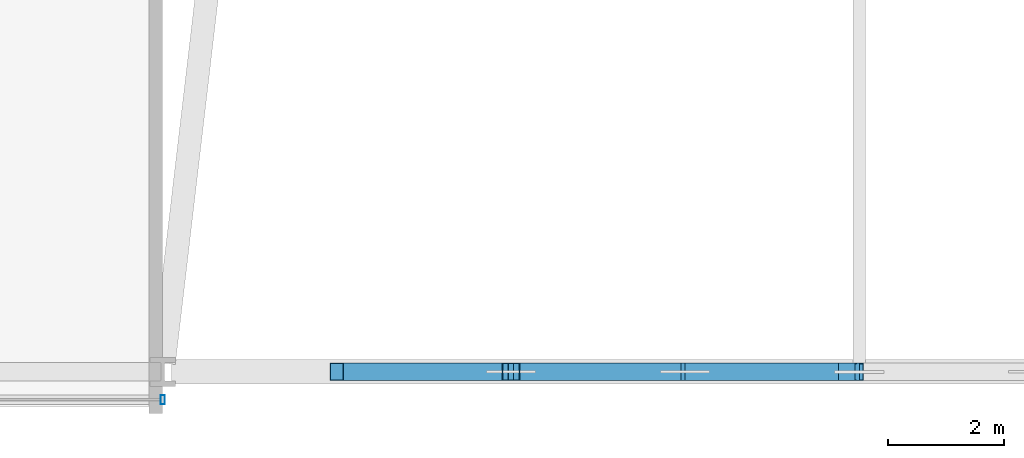
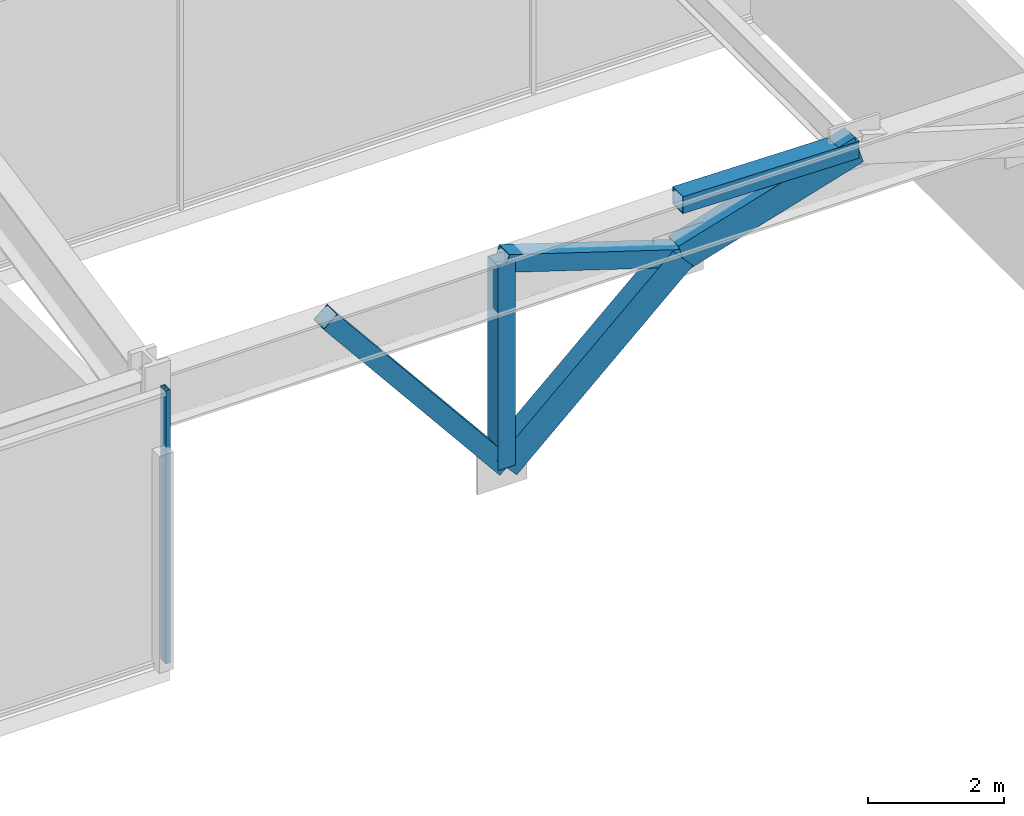
# One storey, part 8 of 49: 7 members, 1 element without a shape of its own.
"""IFC4 building model written with IfcOpenShell, lengths in metres."""

import ifcopenshell
import ifcopenshell.guid

model = None  # the IFC model being written
_history = None  # IfcOwnerHistory: only IFC2X3 demands one
_inside = {}  # id of a spatial element -> (the spatial element, [elements in it])
_under = {}  # id of a project, library or spatial element -> (it, [spatial elements below it])
_declared = {}  # id of a project -> (the project, [libraries it declares])
_typed = {}  # id of a type object -> (the type object, [elements of that type])
_made_of = {}  # id of a material, layer set ... -> (it, [elements and type objects made of it])


def new_model(schema):
    """Start an empty IFC model of exactly this schema.

    Asked for "IFC4X3", IfcOpenShell would pick the latest addendum, in which some entities
    have other attributes; the version numbers below select the first issue.
    IFC2X3 requires an IfcOwnerHistory on every rooted entity: one is made here for all.
    """
    global model, _history
    if schema == "IFC4X3":
        model = ifcopenshell.file(schema_version=(4, 3, 0, 0))
    else:
        model = ifcopenshell.file(schema=schema)
    _inside.clear()
    _under.clear()
    _declared.clear()
    _typed.clear()
    _made_of.clear()
    _history = None
    if model.schema == "IFC2X3":
        org = make("IfcOrganization", Name="unknown")
        user = make(
            "IfcPersonAndOrganization",
            ThePerson=make("IfcPerson", FamilyName="unknown"),
            TheOrganization=org,
        )
        app = make(
            "IfcApplication",
            ApplicationDeveloper=org,
            Version="unknown",
            ApplicationFullName="unknown",
            ApplicationIdentifier="unknown",
        )
        _history = make(
            "IfcOwnerHistory",
            OwningUser=user,
            OwningApplication=app,
            ChangeAction="ADDED",
            CreationDate=0,
        )
    return model


def make(cls, **values):
    """One entity of the class cls with the attributes given. An attribute that is None is left unset."""
    return model.create_entity(
        cls, **{name: value for name, value in values.items() if value is not None}
    )


def rooted(cls, **values):
    """An entity with a GlobalId (a new one), such as an element, a storey or a relation."""
    return make(cls, GlobalId=ifcopenshell.guid.new(), OwnerHistory=_history, **values)


def si_unit(unit_type, name, prefix=None):
    """IfcSIUnit, for example si_unit("LENGTHUNIT", "METRE", prefix="MILLI")."""
    return make("IfcSIUnit", UnitType=unit_type, Prefix=prefix, Name=name)


def assignment(units):
    """IfcUnitAssignment: the units of a project."""
    return None if units is None else make("IfcUnitAssignment", Units=units)


def point(xyz):
    """IfcCartesianPoint."""
    return None if xyz is None else make("IfcCartesianPoint", Coordinates=xyz)


def direction(xyz):
    """IfcDirection."""
    return None if xyz is None else make("IfcDirection", DirectionRatios=xyz)


def frame(location, z_axis=None, x_axis=None):
    """IfcAxis2Placement3D, a coordinate frame: its origin and axes. An axis left out is left unset."""
    return make(
        "IfcAxis2Placement3D",
        Location=point(location),
        Axis=direction(z_axis),
        RefDirection=direction(x_axis),
    )


def frame_2d(location, x_axis=None):
    """IfcAxis2Placement2D, a coordinate frame in the plane: its origin and x axis."""
    return make(
        "IfcAxis2Placement2D", Location=point(location), RefDirection=direction(x_axis)
    )


def origin():
    """The frame at (0, 0, 0) with its axes left unset."""
    return frame((0.0, 0.0, 0.0))


def origin_2d():
    """The frame at (0, 0) in the plane with its x axis left unset."""
    return frame_2d((0.0, 0.0))


def place(relative_to, where):
    """IfcLocalPlacement: puts the frame where relative to a parent placement (None: the world)."""
    return make(
        "IfcLocalPlacement", PlacementRelTo=relative_to, RelativePlacement=where
    )


def context(
    kind, dimensions, precision=None, world=None, true_north=None, identifier=None
):
    """IfcGeometricRepresentationContext, for example the 3D "Model" context."""
    return make(
        "IfcGeometricRepresentationContext",
        ContextIdentifier=identifier,
        ContextType=kind,
        CoordinateSpaceDimension=dimensions,
        Precision=precision,
        WorldCoordinateSystem=world,
        TrueNorth=true_north,
    )


def subcontext(parent, identifier, kind, view, scale=None):
    """IfcGeometricRepresentationSubContext, for example "Body" below "Model"."""
    return make(
        "IfcGeometricRepresentationSubContext",
        ContextIdentifier=identifier,
        ContextType=kind,
        ParentContext=parent,
        TargetScale=scale,
        TargetView=view,
    )


def project(units=None, contexts=None):
    """IfcProject with its units and contexts."""
    return rooted(
        "IfcProject",
        Name="project",
        RepresentationContexts=contexts,
        UnitsInContext=assignment(units),
    )


def spatial(cls, under=None, at=None, **own):
    """A site, building, storey or space (cls), placed at a placement, below another one or the project."""
    s = rooted(cls, ObjectPlacement=at, **own)
    if under is not None:
        _under.setdefault(under.id(), (under, []))[1].append(s)
    return s


def profile(cls, at=None, kind="AREA", **sizes):
    """A parametric profile (cls). Its sizes go by their IFC names, for example OverallWidth=200.0."""
    return make(cls, ProfileType=kind, Position=at, **sizes)


def hollow_rectangle(**sizes):
    """IfcRectangleHollowProfileDef."""
    return profile("IfcRectangleHollowProfileDef", **sizes)


def extrude(swept, where, along, depth):
    """IfcExtrudedAreaSolid: the profile swept, set in the frame where, extruded along a direction by depth."""
    return make(
        "IfcExtrudedAreaSolid",
        SweptArea=swept,
        Position=where,
        ExtrudedDirection=direction(along),
        Depth=depth,
    )


def shape(context_of_items, identifier, shape_type, items):
    """IfcShapeRepresentation: the items that make up one representation, for example the "Body"."""
    return make(
        "IfcShapeRepresentation",
        ContextOfItems=context_of_items,
        RepresentationIdentifier=identifier,
        RepresentationType=shape_type,
        Items=items,
    )


def material(Name=None, Category=None):
    """IfcMaterial."""
    return make("IfcMaterial", Name=Name, Category=Category)


def material_profile(
    of_material, cross_section, Name=None, Category=None, Priority=None
):
    """IfcMaterialProfile: a cross section and its material."""
    return make(
        "IfcMaterialProfile",
        Name=Name,
        Material=of_material,
        Profile=cross_section,
        Priority=Priority,
        Category=Category,
    )


def profile_set(profiles, Name=None, composite=None):
    """IfcMaterialProfileSet."""
    return make(
        "IfcMaterialProfileSet",
        Name=Name,
        MaterialProfiles=profiles,
        CompositeProfile=composite,
    )


def made_of(thing, what):
    """Note that an element or type object is made of a material, layer set ...; save() writes the relation."""
    if what is not None:
        _made_of.setdefault(what.id(), (what, []))[1].append(thing)
    return thing


def type_object(cls, material=None, **own):
    """A type object (cls), such as IfcWallType, which elements share."""
    return made_of(rooted(cls, **own), material)


def element(
    cls,
    number,
    at=None,
    inside=None,
    cuts=None,
    type_object=None,
    material=None,
    context=None,
    identifier="Body",
    shape_type=None,
    held_by="IfcProductDefinitionShape",
    body=None,
    shapes=None,
    **own,
):
    """One element of the class cls, such as IfcWall. Its Tag is "e" and its number.

    at: its placement. inside: the storey or other place that contains it. cuts: it is an
    opening in that element (IfcRelVoidsElement). A single representation is given by context,
    identifier, shape_type and body (its items); several are given by shapes. held_by: the class
    of the entity that holds the representations. save() writes the other relations.
    """
    e = rooted(cls, Tag="e%d" % number, ObjectPlacement=at, **own)
    if body is not None:
        shapes = [shape(context, identifier, shape_type, body)]
    if shapes is not None:
        e.Representation = make(held_by, Representations=shapes)
    if inside is not None:
        _inside.setdefault(inside.id(), (inside, []))[1].append(e)
    if cuts is not None:
        rooted(
            "IfcRelVoidsElement", RelatingBuildingElement=cuts, RelatedOpeningElement=e
        )
    if type_object is not None:
        _typed.setdefault(type_object.id(), (type_object, []))[1].append(e)
    return made_of(e, material)


def aggregate(whole, parts):
    """IfcRelAggregates: a whole, such as a stair, and the parts it consists of."""
    return rooted("IfcRelAggregates", RelatingObject=whole, RelatedObjects=parts)


def save(model, path):
    """Write the relations noted so far, then the file.

    IfcRelAggregates (storeys below a building ...), IfcRelContainedInSpatialStructure (elements
    in a storey), IfcRelDefinesByType, IfcRelAssociatesMaterial and IfcRelDeclares: one each for
    every whole, place, type object, material and project.
    """
    for whole, parts in _under.values():
        aggregate(whole, parts)
    for where, things in _inside.values():
        rooted(
            "IfcRelContainedInSpatialStructure",
            RelatedElements=things,
            RelatingStructure=where,
        )
    for kind, things in _typed.values():
        rooted("IfcRelDefinesByType", RelatedObjects=things, RelatingType=kind)
    for what, things in _made_of.values():
        rooted("IfcRelAssociatesMaterial", RelatedObjects=things, RelatingMaterial=what)
    for by, libraries in _declared.values():
        rooted("IfcRelDeclares", RelatingContext=by, RelatedDefinitions=libraries)
    model.write(path)


model = new_model("IFC4")

# Units and contexts
model_context = context("Model", 3, precision=1e-05, world=origin(), true_north=direction((0.0, 1.0)))
body_context = subcontext(model_context, "Body", "Model", "MODEL_VIEW")
ifc_project = project(units=[si_unit("LENGTHUNIT", "METRE"), si_unit("AREAUNIT", "SQUARE_METRE"), si_unit("VOLUMEUNIT", "CUBIC_METRE"), si_unit("PLANEANGLEUNIT", "RADIAN"), si_unit("MASSUNIT", "GRAM", prefix="KILO")], contexts=[model_context])

# Site, building, storey
site_placement = place(None, origin())
site = spatial("IfcSite", under=ifc_project, at=site_placement, CompositionType="ELEMENT")
building_placement = place(site_placement, origin())
building = spatial("IfcBuilding", under=site, at=building_placement, Name="Kolvaren Belvedere", CompositionType="ELEMENT")
storey_placement = place(building_placement, frame((0.0, 0.0, 10.0)))
storey = spatial("IfcBuildingStorey", under=building, at=storey_placement, Name="L03", CompositionType="ELEMENT", Elevation=10.0)

# Curtain wall, member
ifc_material_1 = material(Name="Anodised pale-metal aluminium AA 6063-T6", Category="aluminium")
curtain_wall_type = type_object("IfcCurtainWallType", Name="CW-POD-A", PredefinedType="NOTDEFINED", material=ifc_material_1)
curtain_wall_placement = place(storey_placement, origin())
curtain_wall = element("IfcCurtainWall", 1, at=curtain_wall_placement, inside=storey, type_object=curtain_wall_type, Name="L03 Unitised Curtain Wall FCW-L03-SEG1", PredefinedType="NOTDEFINED")
ifc_material_2 = material(Name="Anodised pale-metal aluminium AA 6063-T6", Category="aluminium")
ifc_material_profile_1 = material_profile(ifc_material_2, hollow_rectangle(XDim=0.074951171875, YDim=0.159912109375, WallThickness=0.00439453125, at=origin_2d()), Name="ALU-MUL-160X75")
ifc_profile_set_1 = profile_set([ifc_material_profile_1], Name="Anodised pale-metal aluminium AA 6063-T6")
member_type_1 = type_object("IfcMemberType", Name="CW-MUL-160", PredefinedType="MULLION", material=ifc_profile_set_1)
member_1_placement = place(storey_placement, frame((-12.0, -28.280029296875, 0.0), z_axis=(0.0, 0.0, 1.0), x_axis=(1.0, 0.0, 0.0)))
member_1 = element("IfcMember", 2, at=member_1_placement, type_object=member_type_1, Name="FCW-L03-SEG1 Unitised Mullion 1", PredefinedType="MULLION", context=body_context, shape_type="SweptSolid", body=[
    extrude(hollow_rectangle(XDim=0.074951171875, YDim=0.159912109375, WallThickness=0.00439453125, at=origin_2d()), origin(), (0.0, 0.0, 1.0), 4.919921875),
])
aggregate(curtain_wall, [member_1])

# Members
ifc_material_3 = material(Name="Structural steel ASTM A500 Grade C", Category="steel")
ifc_material_profile_2 = material_profile(ifc_material_3, hollow_rectangle(XDim=0.304931640625, YDim=0.508056640625, WallThickness=0.014892578125, at=origin_2d()), Name="HSS20X12X5/8")
ifc_profile_set_2 = profile_set([ifc_material_profile_2], Name="Structural steel ASTM A500 Grade C")
member_type_2 = type_object("IfcMemberType", Name="MB-ARCH-CHORD", PredefinedType="CHORD", material=ifc_profile_set_2)
member_2_placement = place(storey_placement, frame((-6.0, -27.800048828125, 1.175048828125), z_axis=(0.740986951436, 0.0, 0.671519424739), x_axis=(0.0, 1.0, 0.0)))
element("IfcMember", 3, at=member_2_placement, inside=storey, type_object=member_type_2, Name="Giant Portal Arch Rib Chord AC-3", PredefinedType="CHORD", context=body_context, shape_type="SweptSolid", body=[
    extrude(hollow_rectangle(XDim=0.304931640625, YDim=0.508056640625, WallThickness=0.014892578125, at=origin_2d()), origin(), (0.0, 0.0, 1.0), 4.048583984375),
])
member_3_placement = place(storey_placement, frame((-3.0, -27.800048828125, 3.893798828125), z_axis=(0.957275641118, 0.0, 0.289177016588), x_axis=(0.0, 1.0, 0.0)))
element("IfcMember", 4, at=member_3_placement, inside=storey, type_object=member_type_2, Name="Giant Portal Arch Rib Chord AC-4", PredefinedType="CHORD", context=body_context, shape_type="SweptSolid", body=[
    extrude(hollow_rectangle(XDim=0.304931640625, YDim=0.508056640625, WallThickness=0.014892578125, at=origin_2d()), origin(), (0.0, 0.0, 1.0), 3.1337890625),
])
ifc_material_4 = material(Name="Structural steel ASTM A500 Grade C", Category="steel")
ifc_material_profile_3 = material_profile(ifc_material_4, hollow_rectangle(XDim=0.304931640625, YDim=0.304931640625, WallThickness=0.01171875, at=origin_2d()), Name="HSS12X12X1/2")
ifc_profile_set_3 = profile_set([ifc_material_profile_3], Name="Structural steel ASTM A500 Grade C")
member_type_3 = type_object("IfcMemberType", Name="MB-ARCH-WEB", PredefinedType="BRACE", material=ifc_profile_set_3)
member_4_placement = place(storey_placement, frame((-6.0, -27.800048828125, 1.175048828125), z_axis=(0.0, 0.0, 1.0), x_axis=(1.0, 0.0, 0.0)))
element("IfcMember", 5, at=member_4_placement, inside=storey, type_object=member_type_3, Name="Portal Arch Spandrel Web AW-2", PredefinedType="BRACE", context=body_context, shape_type="SweptSolid", body=[
    extrude(hollow_rectangle(XDim=0.304931640625, YDim=0.304931640625, WallThickness=0.01171875, at=origin_2d()), origin(), (0.0, 0.0, 1.0), 3.675048828125),
])
member_5_placement = place(storey_placement, frame((-6.0, -27.800048828125, 1.175048828125), z_axis=(-0.632371447832, 0.0, 0.774665316099), x_axis=(0.0, -1.0, 0.0)))
element("IfcMember", 6, at=member_5_placement, inside=storey, type_object=member_type_3, Name="Portal Arch Web Diagonal AD-2", PredefinedType="BRACE", context=body_context, shape_type="SweptSolid", body=[
    extrude(hollow_rectangle(XDim=0.304931640625, YDim=0.304931640625, WallThickness=0.01171875, at=origin_2d()), origin(), (0.0, 0.0, 1.0), 4.744140625),
])
member_6_placement = place(storey_placement, frame((-3.0, -27.800048828125, 3.893798828125), z_axis=(-0.952764754613, 0.0, 0.303709272772), x_axis=(0.0, -1.0, 0.0)))
element("IfcMember", 7, at=member_6_placement, inside=storey, type_object=member_type_3, Name="Portal Arch Web Diagonal AD-3", PredefinedType="BRACE", context=body_context, shape_type="SweptSolid", body=[
    extrude(hollow_rectangle(XDim=0.304931640625, YDim=0.304931640625, WallThickness=0.01171875, at=origin_2d()), origin(), (0.0, 0.0, 1.0), 3.148681640625),
])
member_7_placement = place(storey_placement, frame((0.0, -27.800048828125, 4.800048828125), z_axis=(-0.999860868753, 0.0, 0.01668062159), x_axis=(0.0, -1.0, 0.0)))
element("IfcMember", 8, at=member_7_placement, inside=storey, type_object=member_type_3, Name="Portal Arch Web Diagonal AD-4", PredefinedType="BRACE", context=body_context, shape_type="SweptSolid", body=[
    extrude(hollow_rectangle(XDim=0.304931640625, YDim=0.304931640625, WallThickness=0.01171875, at=origin_2d()), origin(), (0.0, 0.0, 1.0), 3.00048828125),
])

save(model, "model.ifc")
